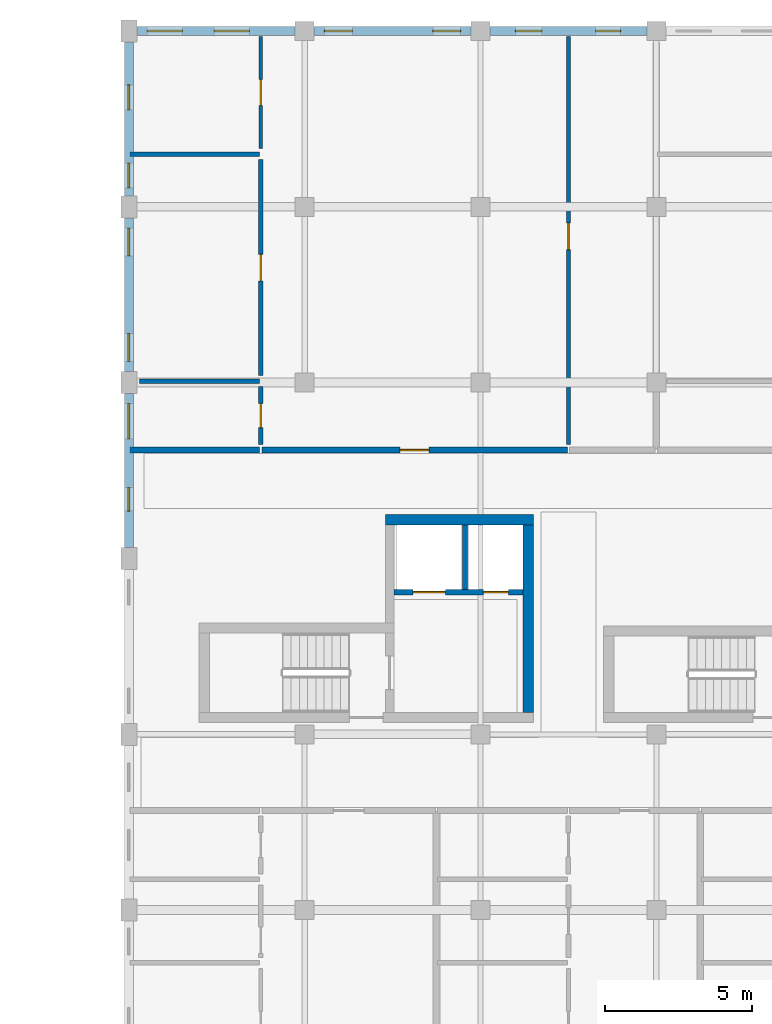
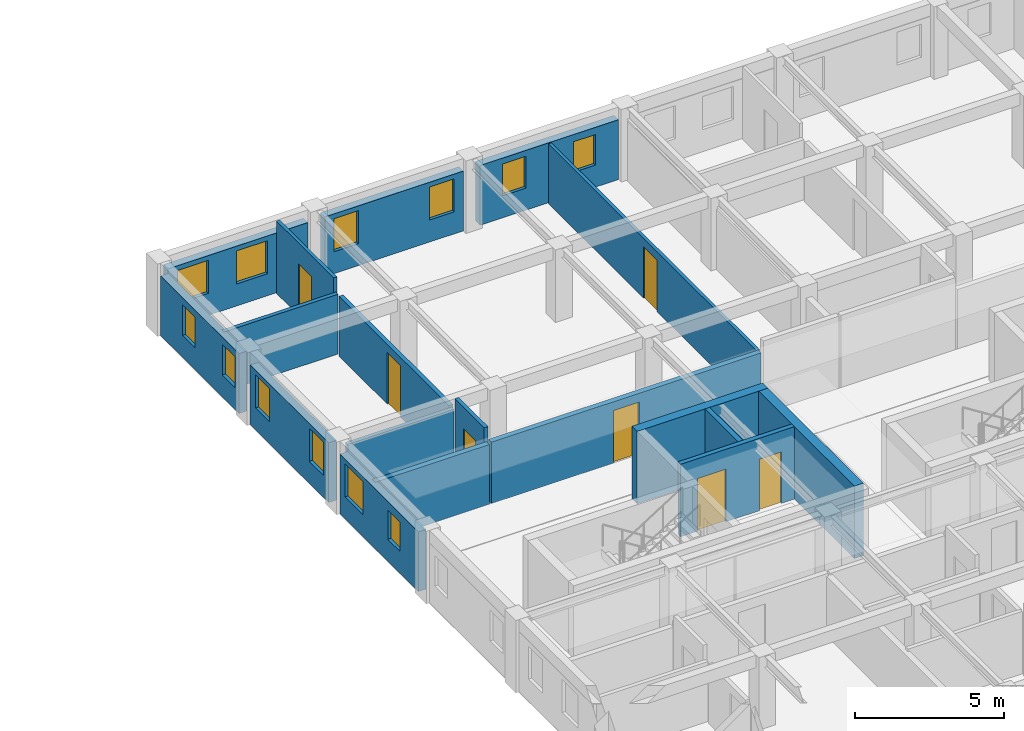
# One storey, part 69 of 100: 18 walls, 12 windows, 7 doors, 19 openings.
"""IFC4 building model written with IfcOpenShell, lengths in metres."""

from ifc_helpers import new_model, si_unit, direction, frame, frame_2d, origin, place, context, subcontext, project, spatial, rectangle, extrude, material, layer, layer_set, type_object, element, fill, save


model = new_model("IFC4")

# Units and contexts
model_context = context("Model", 3, precision=1e-05, world=origin(), true_north=direction((0.0, 1.0)))
body_context = subcontext(model_context, "Body", "Model", "MODEL_VIEW")
ifc_project = project(units=[si_unit("LENGTHUNIT", "METRE"), si_unit("AREAUNIT", "SQUARE_METRE"), si_unit("VOLUMEUNIT", "CUBIC_METRE"), si_unit("PLANEANGLEUNIT", "RADIAN"), si_unit("MASSUNIT", "GRAM", prefix="KILO"), si_unit("POWERUNIT", "WATT"), si_unit("THERMODYNAMICTEMPERATUREUNIT", "KELVIN")], contexts=[model_context])

# Site, building, storey
site_placement = place(None, origin())
site = spatial("IfcSite", under=ifc_project, at=site_placement, CompositionType="ELEMENT")
building_placement = place(site_placement, origin())
building = spatial("IfcBuilding", under=site, at=building_placement, Name="Ruvembo Vaulted Housing Court", CompositionType="ELEMENT")
storey_placement = place(building_placement, frame((0.0, 0.0, 10.89990234375)))
storey = spatial("IfcBuildingStorey", under=building, at=storey_placement, Name="L03", CompositionType="ELEMENT", Elevation=10.89990234375)

# Walls
ifc_material_1 = material(Name="Concrete C35/45", Category="concrete")
ifc_layer_1 = layer(ifc_material_1, 0.35009765625, Name="Concrete C35/45")
ifc_layer_set_1 = layer_set([ifc_layer_1], Name="Concrete C35/45")
wall_type_1 = type_object("IfcWallType", Name="WL-CORE-350", PredefinedType="SHEAR", material=ifc_layer_set_1)
wall_1_placement = place(storey_placement, frame((61.800048828125, 97.324951171875, 0.0), z_axis=(0.0, 0.0, 1.0), x_axis=(-1.0, 0.0, 0.0)))
element("IfcWall", 1, at=wall_1_placement, inside=storey, type_object=wall_type_1, Name="Core B1 L03 North Shear Wall", PredefinedType="SHEAR", context=body_context, shape_type="SweptSolid", body=[
    extrude(rectangle(XDim=5.050048828125, YDim=0.35009765625, at=frame_2d((2.52490234375, 0.0))), origin(), (0.0, 0.0, 1.0), 2.960205078125),
])
wall_2_placement = place(storey_placement, frame((61.625, 90.75, 0.0), z_axis=(0.0, 0.0, 1.0), x_axis=(0.0, 1.0, 0.0)))
element("IfcWall", 2, at=wall_2_placement, inside=storey, type_object=wall_type_1, Name="Core B1 L03 East Shear Wall", PredefinedType="SHEAR", context=body_context, shape_type="SweptSolid", body=[
    extrude(rectangle(XDim=6.39990234375, YDim=0.35009765625, at=frame_2d((3.199951171875, 0.0))), origin(), (0.0, 0.0, 1.0), 2.960205078125),
])
ifc_material_2 = material(Name="Concrete Blockwork 200", Category="masonry")
ifc_layer_2 = layer(ifc_material_2, 0.199951171875, Name="Concrete Blockwork 200")
ifc_layer_set_2 = layer_set([ifc_layer_2], Name="Concrete Blockwork 200")
wall_type_2 = type_object("IfcWallType", Name="WL-CORR-200", PredefinedType="SOLIDWALL", material=ifc_layer_set_2)
wall_3_placement = place(storey_placement, frame((48.0400390625, 99.699951171875, 0.0), z_axis=(0.0, 0.0, 1.0), x_axis=(1.0, 0.0, 0.0)))
element("IfcWall", 3, at=wall_3_placement, inside=storey, type_object=wall_type_2, Name="L03 Flat B-L03-N1 Corridor Wall WL-INT-L03-00857", PredefinedType="SOLIDWALL", context=body_context, shape_type="SweptSolid", body=[
    extrude(rectangle(XDim=4.419921875, YDim=0.199951171875, at=frame_2d((2.2099609375, 0.0))), origin(), (0.0, 0.0, 1.0), 2.442138671875),
])

# Wall, opening, door
wall_4_placement = place(storey_placement, frame((52.5400390625, 99.699951171875, 0.0), z_axis=(0.0, 0.0, 1.0), x_axis=(1.0, 0.0, 0.0)))
wall_4 = element("IfcWall", 4, at=wall_4_placement, inside=storey, type_object=wall_type_2, Name="L03 Flat B-L03-N1 Entrance WL-INT-L03-00858", PredefinedType="SOLIDWALL", context=body_context, shape_type="SweptSolid", body=[
    extrude(rectangle(XDim=10.419921875, YDim=0.199951171875, at=frame_2d((5.2099609375, 0.0))), origin(), (0.0, 0.0, 1.0), 2.508056640625),
])
opening_1_placement = place(wall_4_placement, frame((4.7099609375, 0.0, 0.0)))
opening_1 = element("IfcOpeningElement", 5, at=opening_1_placement, cuts=wall_4, Name="Opening FD1", PredefinedType="OPENING", context=body_context, shape_type="SweptSolid", body=[
    extrude(rectangle(XDim=1.0, YDim=2.14990234375, at=frame_2d((0.5, 1.074951171875))), frame((0.0, 0.10986328125, 0.0), z_axis=(0.0, -1.0, 0.0), x_axis=(1.0, 0.0, 0.0)), (0.0, 0.0, 1.0), 0.219970703125),
])
ifc_material_3 = material(Name="FSC Hardwood and Engineered Timber", Category="wood")
door_type_1 = type_object("IfcDoorType", Name="DR-FLAT-1000x2150", OperationType="NOTDEFINED", PredefinedType="DOOR", material=ifc_material_3)
door_1_placement = place(opening_1_placement, origin())
door_1 = element("IfcDoor", 6, at=door_1_placement, inside=storey, type_object=door_type_1, Name="L03 Flat B-L03-N1 Entrance Door DR-INT-L03-00474", OperationType="SINGLE_SWING_RIGHT", OverallHeight=2.14990234375, OverallWidth=1.0, PredefinedType="DOOR", context=body_context, shape_type="SweptSolid", body=[
    extrude(rectangle(XDim=1.0, YDim=2.14990234375, at=frame_2d((0.5, 1.074951171875))), frame((0.0, 0.02490234375, 0.0), z_axis=(0.0, -1.0, 0.0), x_axis=(1.0, 0.0, 0.0)), (0.0, 0.0, 1.0), 0.050048828125),
])
fill(opening_1, door_1)

# Wall, openings, windows
ifc_material_4 = material(Name="Rendered Masonry 300", Category="masonry")
ifc_layer_3 = layer(ifc_material_4, 0.300048828125, Name="Rendered Masonry 300")
ifc_layer_set_3 = layer_set([ifc_layer_3], Name="Rendered Masonry 300")
wall_type_3 = type_object("IfcWallType", Name="WL-EXT-300", PredefinedType="STANDARD", material=ifc_layer_set_3)
wall_5_placement = place(storey_placement, frame((65.675048828125, 114.0, 0.0), z_axis=(0.0, 0.0, 1.0), x_axis=(-1.0, 0.0, 0.0)))
wall_5 = element("IfcWall", 7, at=wall_5_placement, inside=storey, type_object=wall_type_3, Name="Block B L03 Exterior Wall STREET #4", PredefinedType="STANDARD", context=body_context, shape_type="SweptSolid", body=[
    extrude(rectangle(XDim=5.35009765625, YDim=0.300048828125, at=frame_2d((2.675048828125, 0.0))), origin(), (0.0, 0.0, 1.0), 2.442138671875),
])
opening_2_placement = place(wall_5_placement, frame((0.892578125, 0.0, 0.89990234375)))
opening_2 = element("IfcOpeningElement", 8, at=opening_2_placement, cuts=wall_5, Name="Opening W03", PredefinedType="OPENING", context=body_context, shape_type="SweptSolid", body=[
    extrude(rectangle(XDim=0.85009765625, YDim=1.25, at=frame_2d((0.425048828125, 0.625))), frame((0.0, 0.159912109375, 0.0), z_axis=(0.0, -1.0, 0.0), x_axis=(1.0, 0.0, 0.0)), (0.0, 0.0, 1.0), 0.320068359375),
])
opening_3_placement = place(wall_5_placement, frame((3.58251953125, 0.0, 0.89990234375)))
opening_3 = element("IfcOpeningElement", 9, at=opening_3_placement, cuts=wall_5, Name="Opening W04", PredefinedType="OPENING", context=body_context, shape_type="SweptSolid", body=[
    extrude(rectangle(XDim=0.89990234375, YDim=1.300048828125, at=frame_2d((0.449951171875, 0.64990234375))), frame((0.0, 0.159912109375, 0.0), z_axis=(0.0, -1.0, 0.0), x_axis=(1.0, 0.0, 0.0)), (0.0, 0.0, 1.0), 0.320068359375),
])
ifc_material_5 = material(Name="Double Solar-Control Glazing in Aluminium Frame", Category="aluminium")
window_type_1 = type_object("IfcWindowType", Name="WIN-0850x1250", PartitioningType="SINGLE_PANEL", PredefinedType="WINDOW", material=ifc_material_5)
window_1_placement = place(opening_2_placement, origin())
window_1 = element("IfcWindow", 10, at=window_1_placement, inside=storey, type_object=window_type_1, Name="Block B L03 Window #751", OverallHeight=1.25, OverallWidth=0.85009765625, PartitioningType="SINGLE_PANEL", PredefinedType="WINDOW", context=body_context, shape_type="SweptSolid", body=[
    extrude(rectangle(XDim=0.85009765625, YDim=1.25, at=frame_2d((0.425048828125, 0.625))), frame((0.0, 0.030029296875, 0.0), z_axis=(0.0, -1.0, 0.0), x_axis=(1.0, 0.0, 0.0)), (0.0, 0.0, 1.0), 0.06005859375),
])
fill(opening_2, window_1)
window_type_2 = type_object("IfcWindowType", Name="WIN-0900x1300", PartitioningType="SINGLE_PANEL", PredefinedType="WINDOW", material=ifc_material_5)
window_2_placement = place(opening_3_placement, origin())
window_2 = element("IfcWindow", 11, at=window_2_placement, inside=storey, type_object=window_type_2, Name="Block B L03 Window #752", OverallHeight=1.300048828125, OverallWidth=0.89990234375, PartitioningType="SINGLE_PANEL", PredefinedType="WINDOW", context=body_context, shape_type="SweptSolid", body=[
    extrude(rectangle(XDim=0.89990234375, YDim=1.300048828125, at=frame_2d((0.449951171875, 0.64990234375))), frame((0.0, 0.030029296875, 0.0), z_axis=(0.0, -1.0, 0.0), x_axis=(1.0, 0.0, 0.0)), (0.0, 0.0, 1.0), 0.06005859375),
])
fill(opening_3, window_2)

wall_6_placement = place(storey_placement, frame((59.675048828125, 114.0, 0.0), z_axis=(0.0, 0.0, 1.0), x_axis=(-1.0, 0.0, 0.0)))
wall_6 = element("IfcWall", 12, at=wall_6_placement, inside=storey, type_object=wall_type_3, Name="Block B L03 Exterior Wall STREET #5", PredefinedType="STANDARD", context=body_context, shape_type="SweptSolid", body=[
    extrude(rectangle(XDim=5.35009765625, YDim=0.300048828125, at=frame_2d((2.675048828125, 0.0))), origin(), (0.0, 0.0, 1.0), 2.442138671875),
])
opening_4_placement = place(wall_6_placement, frame((0.35009765625, 0.0, 0.89990234375)))
opening_4 = element("IfcOpeningElement", 13, at=opening_4_placement, cuts=wall_6, Name="Opening W07", PredefinedType="OPENING", context=body_context, shape_type="SweptSolid", body=[
    extrude(rectangle(XDim=0.949951171875, YDim=1.35009765625, at=frame_2d((0.47509765625, 0.675048828125))), frame((0.0, 0.159912109375, 0.0), z_axis=(0.0, -1.0, 0.0), x_axis=(1.0, 0.0, 0.0)), (0.0, 0.0, 1.0), 0.320068359375),
])
opening_5_placement = place(wall_6_placement, frame((4.050048828125, 0.0, 0.89990234375)))
opening_5 = element("IfcOpeningElement", 14, at=opening_5_placement, cuts=wall_6, Name="Opening W07", PredefinedType="OPENING", context=body_context, shape_type="SweptSolid", body=[
    extrude(rectangle(XDim=0.949951171875, YDim=1.35009765625, at=frame_2d((0.47509765625, 0.675048828125))), frame((0.0, 0.159912109375, 0.0), z_axis=(0.0, -1.0, 0.0), x_axis=(1.0, 0.0, 0.0)), (0.0, 0.0, 1.0), 0.320068359375),
])
window_type_3 = type_object("IfcWindowType", Name="WIN-0950x1350", PartitioningType="SINGLE_PANEL", PredefinedType="WINDOW", material=ifc_material_5)
window_3_placement = place(opening_4_placement, origin())
window_3 = element("IfcWindow", 15, at=window_3_placement, inside=storey, type_object=window_type_3, Name="Block B L03 Window #753", OverallHeight=1.35009765625, OverallWidth=0.949951171875, PartitioningType="SINGLE_PANEL", PredefinedType="WINDOW", context=body_context, shape_type="SweptSolid", body=[
    extrude(rectangle(XDim=0.949951171875, YDim=1.35009765625, at=frame_2d((0.47509765625, 0.675048828125))), frame((0.0, 0.030029296875, 0.0), z_axis=(0.0, -1.0, 0.0), x_axis=(1.0, 0.0, 0.0)), (0.0, 0.0, 1.0), 0.06005859375),
])
fill(opening_4, window_3)
window_4_placement = place(opening_5_placement, origin())
window_4 = element("IfcWindow", 16, at=window_4_placement, inside=storey, type_object=window_type_3, Name="Block B L03 Window #754", OverallHeight=1.35009765625, OverallWidth=0.949951171875, PartitioningType="SINGLE_PANEL", PredefinedType="WINDOW", context=body_context, shape_type="SweptSolid", body=[
    extrude(rectangle(XDim=0.949951171875, YDim=1.35009765625, at=frame_2d((0.47509765625, 0.675048828125))), frame((0.0, 0.030029296875, 0.0), z_axis=(0.0, -1.0, 0.0), x_axis=(1.0, 0.0, 0.0)), (0.0, 0.0, 1.0), 0.06005859375),
])
fill(opening_5, window_4)

wall_7_placement = place(storey_placement, frame((53.675048828125, 114.0, 0.0), z_axis=(0.0, 0.0, 1.0), x_axis=(-1.0, 0.0, 0.0)))
wall_7 = element("IfcWall", 17, at=wall_7_placement, inside=storey, type_object=wall_type_3, Name="Block B L03 Exterior Wall STREET #6", PredefinedType="STANDARD", context=body_context, shape_type="SweptSolid", body=[
    extrude(rectangle(XDim=5.400146484375, YDim=0.300048828125, at=frame_2d((2.7001953125, 0.0))), origin(), (0.0, 0.0, 1.0), 2.442138671875),
])
opening_6_placement = place(wall_7_placement, frame((1.56494140625, 0.0, 0.89990234375)))
opening_6 = element("IfcOpeningElement", 18, at=opening_6_placement, cuts=wall_7, Name="Opening W12", PredefinedType="OPENING", context=body_context, shape_type="SweptSolid", body=[
    extrude(rectangle(XDim=1.199951171875, YDim=1.35009765625, at=frame_2d((0.60009765625, 0.675048828125))), frame((0.0, 0.159912109375, 0.0), z_axis=(0.0, -1.0, 0.0), x_axis=(1.0, 0.0, 0.0)), (0.0, 0.0, 1.0), 0.320068359375),
])
opening_7_placement = place(wall_7_placement, frame((3.85009765625, 0.0, 0.89990234375)))
opening_7 = element("IfcOpeningElement", 19, at=opening_7_placement, cuts=wall_7, Name="Opening W12", PredefinedType="OPENING", context=body_context, shape_type="SweptSolid", body=[
    extrude(rectangle(XDim=1.199951171875, YDim=1.35009765625, at=frame_2d((0.60009765625, 0.675048828125))), frame((0.0, 0.159912109375, 0.0), z_axis=(0.0, -1.0, 0.0), x_axis=(1.0, 0.0, 0.0)), (0.0, 0.0, 1.0), 0.320068359375),
])
window_type_4 = type_object("IfcWindowType", Name="WIN-1200x1350", PartitioningType="SINGLE_PANEL", PredefinedType="WINDOW", material=ifc_material_5)
window_5_placement = place(opening_6_placement, origin())
window_5 = element("IfcWindow", 20, at=window_5_placement, inside=storey, type_object=window_type_4, Name="Block B L03 Window #755", OverallHeight=1.35009765625, OverallWidth=1.199951171875, PartitioningType="SINGLE_PANEL", PredefinedType="WINDOW", context=body_context, shape_type="SweptSolid", body=[
    extrude(rectangle(XDim=1.199951171875, YDim=1.35009765625, at=frame_2d((0.60009765625, 0.675048828125))), frame((0.0, 0.030029296875, 0.0), z_axis=(0.0, -1.0, 0.0), x_axis=(1.0, 0.0, 0.0)), (0.0, 0.0, 1.0), 0.06005859375),
])
fill(opening_6, window_5)
window_6_placement = place(opening_7_placement, origin())
window_6 = element("IfcWindow", 21, at=window_6_placement, inside=storey, type_object=window_type_4, Name="Block B L03 Window #756", OverallHeight=1.35009765625, OverallWidth=1.199951171875, PartitioningType="SINGLE_PANEL", PredefinedType="WINDOW", context=body_context, shape_type="SweptSolid", body=[
    extrude(rectangle(XDim=1.199951171875, YDim=1.35009765625, at=frame_2d((0.60009765625, 0.675048828125))), frame((0.0, 0.030029296875, 0.0), z_axis=(0.0, -1.0, 0.0), x_axis=(1.0, 0.0, 0.0)), (0.0, 0.0, 1.0), 0.06005859375),
])
fill(opening_7, window_6)

wall_8_placement = place(storey_placement, frame((48.0, 113.625, 0.0), z_axis=(0.0, 0.0, 1.0), x_axis=(0.0, -1.0, 0.0)))
wall_8 = element("IfcWall", 22, at=wall_8_placement, inside=storey, type_object=wall_type_3, Name="Block B L03 Exterior Wall WEST #1", PredefinedType="STANDARD", context=body_context, shape_type="SweptSolid", body=[
    extrude(rectangle(XDim=5.25, YDim=0.300048828125, at=frame_2d((2.625, 0.0))), origin(), (0.0, 0.0, 1.0), 2.442138671875),
])
opening_8_placement = place(wall_8_placement, frame((1.467529296875, 0.0, 0.89990234375)))
opening_8 = element("IfcOpeningElement", 23, at=opening_8_placement, cuts=wall_8, Name="Opening W03", PredefinedType="OPENING", context=body_context, shape_type="SweptSolid", body=[
    extrude(rectangle(XDim=0.85009765625, YDim=1.25, at=frame_2d((0.425048828125, 0.625))), frame((0.0, 0.159912109375, 0.0), z_axis=(0.0, -1.0, 0.0), x_axis=(1.0, 0.0, 0.0)), (0.0, 0.0, 1.0), 0.320068359375),
])
opening_9_placement = place(wall_8_placement, frame((4.132568359375, 0.0, 0.89990234375)))
opening_9 = element("IfcOpeningElement", 24, at=opening_9_placement, cuts=wall_8, Name="Opening W03", PredefinedType="OPENING", context=body_context, shape_type="SweptSolid", body=[
    extrude(rectangle(XDim=0.85009765625, YDim=1.25, at=frame_2d((0.425048828125, 0.625))), frame((0.0, 0.159912109375, 0.0), z_axis=(0.0, -1.0, 0.0), x_axis=(1.0, 0.0, 0.0)), (0.0, 0.0, 1.0), 0.320068359375),
])
window_7_placement = place(opening_8_placement, origin())
window_7 = element("IfcWindow", 25, at=window_7_placement, inside=storey, type_object=window_type_1, Name="Block B L03 Window #757", OverallHeight=1.25, OverallWidth=0.85009765625, PartitioningType="SINGLE_PANEL", PredefinedType="WINDOW", context=body_context, shape_type="SweptSolid", body=[
    extrude(rectangle(XDim=0.85009765625, YDim=1.25, at=frame_2d((0.425048828125, 0.625))), frame((0.0, 0.030029296875, 0.0), z_axis=(0.0, -1.0, 0.0), x_axis=(1.0, 0.0, 0.0)), (0.0, 0.0, 1.0), 0.06005859375),
])
fill(opening_8, window_7)
window_8_placement = place(opening_9_placement, origin())
window_8 = element("IfcWindow", 26, at=window_8_placement, inside=storey, type_object=window_type_1, Name="Block B L03 Window #758", OverallHeight=1.25, OverallWidth=0.85009765625, PartitioningType="SINGLE_PANEL", PredefinedType="WINDOW", context=body_context, shape_type="SweptSolid", body=[
    extrude(rectangle(XDim=0.85009765625, YDim=1.25, at=frame_2d((0.425048828125, 0.625))), frame((0.0, 0.030029296875, 0.0), z_axis=(0.0, -1.0, 0.0), x_axis=(1.0, 0.0, 0.0)), (0.0, 0.0, 1.0), 0.06005859375),
])
fill(opening_9, window_8)

wall_9_placement = place(storey_placement, frame((48.0, 107.625, 0.0), z_axis=(0.0, 0.0, 1.0), x_axis=(0.0, -1.0, 0.0)))
wall_9 = element("IfcWall", 27, at=wall_9_placement, inside=storey, type_object=wall_type_3, Name="Block B L03 Exterior Wall WEST #2", PredefinedType="STANDARD", context=body_context, shape_type="SweptSolid", body=[
    extrude(rectangle(XDim=5.25, YDim=0.300048828125, at=frame_2d((2.625, 0.0))), origin(), (0.0, 0.0, 1.0), 2.442138671875),
])
opening_10_placement = place(wall_9_placement, frame((0.35009765625, 0.0, 0.89990234375)))
opening_10 = element("IfcOpeningElement", 28, at=opening_10_placement, cuts=wall_9, Name="Opening W07", PredefinedType="OPENING", context=body_context, shape_type="SweptSolid", body=[
    extrude(rectangle(XDim=0.949951171875, YDim=1.35009765625, at=frame_2d((0.47509765625, 0.675048828125))), frame((0.0, 0.159912109375, 0.0), z_axis=(0.0, -1.0, 0.0), x_axis=(1.0, 0.0, 0.0)), (0.0, 0.0, 1.0), 0.320068359375),
])
opening_11_placement = place(wall_9_placement, frame((3.949951171875, 0.0, 0.89990234375)))
opening_11 = element("IfcOpeningElement", 29, at=opening_11_placement, cuts=wall_9, Name="Opening W07", PredefinedType="OPENING", context=body_context, shape_type="SweptSolid", body=[
    extrude(rectangle(XDim=0.949951171875, YDim=1.35009765625, at=frame_2d((0.47509765625, 0.675048828125))), frame((0.0, 0.159912109375, 0.0), z_axis=(0.0, -1.0, 0.0), x_axis=(1.0, 0.0, 0.0)), (0.0, 0.0, 1.0), 0.320068359375),
])
window_9_placement = place(opening_10_placement, origin())
window_9 = element("IfcWindow", 30, at=window_9_placement, inside=storey, type_object=window_type_3, Name="Block B L03 Window #759", OverallHeight=1.35009765625, OverallWidth=0.949951171875, PartitioningType="SINGLE_PANEL", PredefinedType="WINDOW", context=body_context, shape_type="SweptSolid", body=[
    extrude(rectangle(XDim=0.949951171875, YDim=1.35009765625, at=frame_2d((0.47509765625, 0.675048828125))), frame((0.0, 0.030029296875, 0.0), z_axis=(0.0, -1.0, 0.0), x_axis=(1.0, 0.0, 0.0)), (0.0, 0.0, 1.0), 0.06005859375),
])
fill(opening_10, window_9)
window_10_placement = place(opening_11_placement, origin())
window_10 = element("IfcWindow", 31, at=window_10_placement, inside=storey, type_object=window_type_3, Name="Block B L03 Window #760", OverallHeight=1.35009765625, OverallWidth=0.949951171875, PartitioningType="SINGLE_PANEL", PredefinedType="WINDOW", context=body_context, shape_type="SweptSolid", body=[
    extrude(rectangle(XDim=0.949951171875, YDim=1.35009765625, at=frame_2d((0.47509765625, 0.675048828125))), frame((0.0, 0.030029296875, 0.0), z_axis=(0.0, -1.0, 0.0), x_axis=(1.0, 0.0, 0.0)), (0.0, 0.0, 1.0), 0.06005859375),
])
fill(opening_11, window_10)

wall_10_placement = place(storey_placement, frame((48.0, 101.625, 0.0), z_axis=(0.0, 0.0, 1.0), x_axis=(0.0, -1.0, 0.0)))
wall_10 = element("IfcWall", 32, at=wall_10_placement, inside=storey, type_object=wall_type_3, Name="Block B L03 Exterior Wall WEST #3", PredefinedType="STANDARD", context=body_context, shape_type="SweptSolid", body=[
    extrude(rectangle(XDim=5.25, YDim=0.300048828125, at=frame_2d((2.625, 0.0))), origin(), (0.0, 0.0, 1.0), 2.442138671875),
])
opening_12_placement = place(wall_10_placement, frame((0.342529296875, 0.0, 0.89990234375)))
opening_12 = element("IfcOpeningElement", 33, at=opening_12_placement, cuts=wall_10, Name="Opening W12", PredefinedType="OPENING", context=body_context, shape_type="SweptSolid", body=[
    extrude(rectangle(XDim=1.199951171875, YDim=1.35009765625, at=frame_2d((0.60009765625, 0.675048828125))), frame((0.0, 0.159912109375, 0.0), z_axis=(0.0, -1.0, 0.0), x_axis=(1.0, 0.0, 0.0)), (0.0, 0.0, 1.0), 0.320068359375),
])
opening_13_placement = place(wall_10_placement, frame((3.20751953125, 0.0, 0.89990234375)))
opening_13 = element("IfcOpeningElement", 34, at=opening_13_placement, cuts=wall_10, Name="Opening W02", PredefinedType="OPENING", context=body_context, shape_type="SweptSolid", body=[
    extrude(rectangle(XDim=0.800048828125, YDim=1.199951171875, at=frame_2d((0.39990234375, 0.60009765625))), frame((0.0, 0.159912109375, 0.0), z_axis=(0.0, -1.0, 0.0), x_axis=(1.0, 0.0, 0.0)), (0.0, 0.0, 1.0), 0.320068359375),
])
window_type_5 = type_object("IfcWindowType", Name="WIN-0800x1200", PartitioningType="SINGLE_PANEL", PredefinedType="WINDOW", material=ifc_material_5)
window_11_placement = place(opening_13_placement, origin())
window_11 = element("IfcWindow", 35, at=window_11_placement, inside=storey, type_object=window_type_5, Name="Block B L03 Window #762", OverallHeight=1.199951171875, OverallWidth=0.800048828125, PartitioningType="SINGLE_PANEL", PredefinedType="WINDOW", context=body_context, shape_type="SweptSolid", body=[
    extrude(rectangle(XDim=0.800048828125, YDim=1.199951171875, at=frame_2d((0.39990234375, 0.60009765625))), frame((0.0, 0.030029296875, 0.0), z_axis=(0.0, -1.0, 0.0), x_axis=(1.0, 0.0, 0.0)), (0.0, 0.0, 1.0), 0.06005859375),
])
fill(opening_13, window_11)
window_12_placement = place(opening_12_placement, origin())
window_12 = element("IfcWindow", 36, at=window_12_placement, inside=storey, type_object=window_type_4, Name="Block B L03 Window #761", OverallHeight=1.35009765625, OverallWidth=1.199951171875, PartitioningType="SINGLE_PANEL", PredefinedType="WINDOW", context=body_context, shape_type="SweptSolid", body=[
    extrude(rectangle(XDim=1.199951171875, YDim=1.35009765625, at=frame_2d((0.60009765625, 0.675048828125))), frame((0.0, 0.030029296875, 0.0), z_axis=(0.0, -1.0, 0.0), x_axis=(1.0, 0.0, 0.0)), (0.0, 0.0, 1.0), 0.06005859375),
])
fill(opening_12, window_12)

# Wall, opening, door
ifc_material_6 = material(Name="Plasterboard Stud Partition 125", Category="gypsum")
ifc_layer_4 = layer(ifc_material_6, 0.125, Name="Plasterboard Stud Partition 125")
ifc_layer_set_4 = layer_set([ifc_layer_4], Name="Plasterboard Stud Partition 125")
wall_type_4 = type_object("IfcWallType", Name="WL-PART-125", PredefinedType="PARTITIONING", material=ifc_layer_set_4)
wall_11_placement = place(storey_placement, frame((52.5, 109.989990234375, 0.0), z_axis=(0.0, 0.0, 1.0), x_axis=(0.0, 1.0, 0.0)))
wall_11 = element("IfcWall", 37, at=wall_11_placement, inside=storey, type_object=wall_type_4, Name="L03 Flat B-L03-N1 Bedroom 1 WL-INT-L03-00859", PredefinedType="PARTITIONING", context=body_context, shape_type="SweptSolid", body=[
    extrude(rectangle(XDim=3.820068359375, YDim=0.125, at=frame_2d((1.91015625, 0.0))), origin(), (0.0, 0.0, 1.0), 2.960205078125),
])
opening_14_placement = place(wall_11_placement, frame((1.469970703125, 0.0, 0.0)))
opening_14 = element("IfcOpeningElement", 38, at=opening_14_placement, cuts=wall_11, Name="Opening ID3", PredefinedType="OPENING", context=body_context, shape_type="SweptSolid", body=[
    extrude(rectangle(XDim=0.8798828125, YDim=2.10009765625, at=frame_2d((0.43994140625, 1.050048828125))), frame((0.0, 0.072509765625, 0.0), z_axis=(0.0, -1.0, 0.0), x_axis=(1.0, 0.0, 0.0)), (0.0, 0.0, 1.0), 0.14501953125),
])
door_type_2 = type_object("IfcDoorType", Name="DR-ROOM-0880x2100", OperationType="NOTDEFINED", PredefinedType="DOOR", material=ifc_material_3)
door_2_placement = place(opening_14_placement, origin())
door_2 = element("IfcDoor", 39, at=door_2_placement, inside=storey, type_object=door_type_2, Name="L03 Flat B-L03-N1 Bedroom 1 Door DR-INT-L03-00475", OperationType="SINGLE_SWING_LEFT", OverallHeight=2.10009765625, OverallWidth=0.8798828125, PredefinedType="DOOR", context=body_context, shape_type="SweptSolid", body=[
    extrude(rectangle(XDim=0.8798828125, YDim=2.10009765625, at=frame_2d((0.43994140625, 1.050048828125))), frame((0.0, 0.02490234375, 0.0), z_axis=(0.0, -1.0, 0.0), x_axis=(1.0, 0.0, 0.0)), (0.0, 0.0, 1.0), 0.050048828125),
])
fill(opening_14, door_2)

wall_12_placement = place(storey_placement, frame((63.0, 99.889892578125, 0.0), z_axis=(0.0, 0.0, 1.0), x_axis=(0.0, 1.0, 0.0)))
wall_12 = element("IfcWall", 40, at=wall_12_placement, inside=storey, type_object=wall_type_4, Name="L03 Flat B-L03-N1 Bedroom 2 WL-INT-L03-00865", PredefinedType="PARTITIONING", context=body_context, shape_type="SweptSolid", body=[
    extrude(rectangle(XDim=13.920166015625, YDim=0.125, at=frame_2d((6.9599609375, 0.0))), origin(), (0.0, 0.0, 1.0), 2.442138671875),
])
opening_15_placement = place(wall_12_placement, frame((6.64990234375, 0.0, 0.0)))
opening_15 = element("IfcOpeningElement", 41, at=opening_15_placement, cuts=wall_12, Name="Opening ID1", PredefinedType="OPENING", context=body_context, shape_type="SweptSolid", body=[
    extrude(rectangle(XDim=0.89990234375, YDim=2.10009765625, at=frame_2d((0.449951171875, 1.050048828125))), frame((0.0, 0.072509765625, 0.0), z_axis=(0.0, -1.0, 0.0), x_axis=(1.0, 0.0, 0.0)), (0.0, 0.0, 1.0), 0.14501953125),
])
door_type_3 = type_object("IfcDoorType", Name="DR-ROOM-0900x2100", OperationType="NOTDEFINED", PredefinedType="DOOR", material=ifc_material_3)
door_3_placement = place(opening_15_placement, origin())
door_3 = element("IfcDoor", 42, at=door_3_placement, inside=storey, type_object=door_type_3, Name="L03 Flat B-L03-N1 Bedroom 2 Door DR-INT-L03-00478", OperationType="SINGLE_SWING_RIGHT", OverallHeight=2.10009765625, OverallWidth=0.89990234375, PredefinedType="DOOR", context=body_context, shape_type="SweptSolid", body=[
    extrude(rectangle(XDim=0.89990234375, YDim=2.10009765625, at=frame_2d((0.449951171875, 1.050048828125))), frame((0.0, 0.02490234375, 0.0), z_axis=(0.0, -1.0, 0.0), x_axis=(1.0, 0.0, 0.0)), (0.0, 0.0, 1.0), 0.050048828125),
])
fill(opening_15, door_3)

ifc_material_7 = material(Name="Moisture-Resistant Wet Partition 150", Category="gypsum")
ifc_layer_5 = layer(ifc_material_7, 0.14990234375, Name="Moisture-Resistant Wet Partition 150")
ifc_layer_set_5 = layer_set([ifc_layer_5], Name="Moisture-Resistant Wet Partition 150")
wall_type_5 = type_object("IfcWallType", Name="WL-PART-150", PredefinedType="PARTITIONING", material=ifc_layer_set_5)
wall_13_placement = place(storey_placement, frame((52.5, 99.889892578125, 0.0), z_axis=(0.0, 0.0, 1.0), x_axis=(0.0, 1.0, 0.0)))
wall_13 = element("IfcWall", 43, at=wall_13_placement, inside=storey, type_object=wall_type_5, Name="L03 Flat B-L03-N1 Bathroom WL-INT-L03-00861", PredefinedType="PARTITIONING", context=body_context, shape_type="SweptSolid", body=[
    extrude(rectangle(XDim=1.97021484375, YDim=0.14990234375, at=frame_2d((0.985107421875, 0.0))), origin(), (0.0, 0.0, 1.0), 2.960205078125),
])
opening_16_placement = place(wall_13_placement, frame((0.574951171875, 0.0, 0.0)))
opening_16 = element("IfcOpeningElement", 44, at=opening_16_placement, cuts=wall_13, Name="Opening ID4", PredefinedType="OPENING", context=body_context, shape_type="SweptSolid", body=[
    extrude(rectangle(XDim=0.820068359375, YDim=2.080078125, at=frame_2d((0.41015625, 1.0400390625))), frame((0.0, 0.0849609375, 0.0), z_axis=(0.0, -1.0, 0.0), x_axis=(1.0, 0.0, 0.0)), (0.0, 0.0, 1.0), 0.169921875),
])
door_type_4 = type_object("IfcDoorType", Name="DR-WET-0820x2080", OperationType="NOTDEFINED", PredefinedType="DOOR", material=ifc_material_3)
door_4_placement = place(opening_16_placement, origin())
door_4 = element("IfcDoor", 45, at=door_4_placement, inside=storey, type_object=door_type_4, Name="L03 Flat B-L03-N1 Bathroom Door DR-INT-L03-00477", OperationType="SINGLE_SWING_LEFT", OverallHeight=2.080078125, OverallWidth=0.820068359375, PredefinedType="DOOR", context=body_context, shape_type="SweptSolid", body=[
    extrude(rectangle(XDim=0.820068359375, YDim=2.080078125, at=frame_2d((0.41015625, 1.0400390625))), frame((0.0, 0.02490234375, 0.0), z_axis=(0.0, -1.0, 0.0), x_axis=(1.0, 0.0, 0.0)), (0.0, 0.0, 1.0), 0.050048828125),
])
fill(opening_16, door_4)

# Walls
wall_14_placement = place(storey_placement, frame((48.0400390625, 109.800048828125, 0.0), z_axis=(0.0, 0.0, 1.0), x_axis=(1.0, 0.0, 0.0)))
element("IfcWall", 46, at=wall_14_placement, inside=storey, type_object=wall_type_5, Name="L03 Flat B-L03-N1 Wet Wall 1 WL-INT-L03-00862", PredefinedType="PARTITIONING", context=body_context, shape_type="SweptSolid", body=[
    extrude(rectangle(XDim=4.419921875, YDim=0.14990234375, at=frame_2d((2.2099609375, 0.0))), origin(), (0.0, 0.0, 1.0), 2.442138671875),
])
wall_15_placement = place(storey_placement, frame((48.360107421875, 102.050048828125, 0.0), z_axis=(0.0, 0.0, 1.0), x_axis=(1.0, 0.0, 0.0)))
element("IfcWall", 47, at=wall_15_placement, inside=storey, type_object=wall_type_5, Name="L03 Flat B-L03-N1 Wet Wall 2 WL-INT-L03-00863", PredefinedType="PARTITIONING", context=body_context, shape_type="SweptSolid", body=[
    extrude(rectangle(XDim=4.099853515625, YDim=0.14990234375, at=frame_2d((2.0498046875, 0.0))), origin(), (0.0, 0.0, 1.0), 2.442138671875),
])

# Wall, opening, door
ifc_material_8 = material(Name="Acoustic Service Chase Wall 160", Category="gypsum")
ifc_layer_6 = layer(ifc_material_8, 0.159912109375, Name="Acoustic Service Chase Wall 160")
ifc_layer_set_6 = layer_set([ifc_layer_6], Name="Acoustic Service Chase Wall 160")
wall_type_6 = type_object("IfcWallType", Name="WL-PLUMB-160", PredefinedType="PLUMBINGWALL", material=ifc_layer_set_6)
wall_16_placement = place(storey_placement, frame((52.5, 102.239990234375, 0.0), z_axis=(0.0, 0.0, 1.0), x_axis=(0.0, 1.0, 0.0)))
wall_16 = element("IfcWall", 48, at=wall_16_placement, inside=storey, type_object=wall_type_6, Name="L03 Flat B-L03-N1 Kitchen WL-INT-L03-00860", PredefinedType="PLUMBINGWALL", context=body_context, shape_type="SweptSolid", body=[
    extrude(rectangle(XDim=7.3701171875, YDim=0.159912109375, at=frame_2d((3.68505859375, 0.0))), origin(), (0.0, 0.0, 1.0), 2.442138671875),
])
opening_17_placement = place(wall_16_placement, frame((3.235107421875, 0.0, 0.0)))
opening_17 = element("IfcOpeningElement", 49, at=opening_17_placement, cuts=wall_16, Name="Opening ID1", PredefinedType="OPENING", context=body_context, shape_type="SweptSolid", body=[
    extrude(rectangle(XDim=0.89990234375, YDim=2.10009765625, at=frame_2d((0.449951171875, 1.050048828125))), frame((0.0, 0.08984375, 0.0), z_axis=(0.0, -1.0, 0.0), x_axis=(1.0, 0.0, 0.0)), (0.0, 0.0, 1.0), 0.179931640625),
])
door_5_placement = place(opening_17_placement, origin())
door_5 = element("IfcDoor", 50, at=door_5_placement, inside=storey, type_object=door_type_3, Name="L03 Flat B-L03-N1 Kitchen Door DR-INT-L03-00476", OperationType="SINGLE_SWING_RIGHT", OverallHeight=2.10009765625, OverallWidth=0.89990234375, PredefinedType="DOOR", context=body_context, shape_type="SweptSolid", body=[
    extrude(rectangle(XDim=0.89990234375, YDim=2.10009765625, at=frame_2d((0.449951171875, 1.050048828125))), frame((0.0, 0.02490234375, 0.0), z_axis=(0.0, -1.0, 0.0), x_axis=(1.0, 0.0, 0.0)), (0.0, 0.0, 1.0), 0.050048828125),
])
fill(opening_17, door_5)

# Wall, openings, doors
ifc_material_9 = material(Name="Fire-Rated Masonry Shaft 180", Category="masonry")
ifc_layer_7 = layer(ifc_material_9, 0.179931640625, Name="Fire-Rated Masonry Shaft 180")
ifc_layer_set_7 = layer_set([ifc_layer_7], Name="Fire-Rated Masonry Shaft 180")
wall_type_7 = type_object("IfcWallType", Name="WL-SHAFT-180", PredefinedType="SOLIDWALL", material=ifc_layer_set_7)
wall_17_placement = place(storey_placement, frame((57.050048828125, 94.85009765625, 0.0), z_axis=(0.0, 0.0, 1.0), x_axis=(1.0, 0.0, 0.0)))
wall_17 = element("IfcWall", 51, at=wall_17_placement, inside=storey, type_object=wall_type_7, Name="Core B1 L03 Lift and Riser Front Wall", PredefinedType="SOLIDWALL", context=body_context, shape_type="SweptSolid", body=[
    extrude(rectangle(XDim=4.39990234375, YDim=0.179931640625, at=frame_2d((2.199951171875, 0.0))), origin(), (0.0, 0.0, 1.0), 2.960205078125),
])
opening_18_placement = place(wall_17_placement, frame((0.64990234375, 0.0, 0.0)))
opening_18 = element("IfcOpeningElement", 52, at=opening_18_placement, cuts=wall_17, Name="Opening LD-LP-B1-L03", PredefinedType="OPENING", context=body_context, shape_type="SweptSolid", body=[
    extrude(rectangle(XDim=1.10009765625, YDim=2.14990234375, at=frame_2d((0.550048828125, 1.074951171875))), frame((0.0, 0.099853515625, 0.0), z_axis=(0.0, -1.0, 0.0), x_axis=(1.0, 0.0, 0.0)), (0.0, 0.0, 1.0), 0.199951171875),
])
opening_19_placement = place(wall_17_placement, frame((3.050048828125, 0.0, 0.0)))
opening_19 = element("IfcOpeningElement", 53, at=opening_19_placement, cuts=wall_17, Name="Opening RD1", PredefinedType="OPENING", context=body_context, shape_type="SweptSolid", body=[
    extrude(rectangle(XDim=0.85009765625, YDim=2.10009765625, at=frame_2d((0.425048828125, 1.050048828125))), frame((0.0, 0.099853515625, 0.0), z_axis=(0.0, -1.0, 0.0), x_axis=(1.0, 0.0, 0.0)), (0.0, 0.0, 1.0), 0.199951171875),
])
ifc_material_10 = material(Name="Brushed Stainless Steel 304", Category="steel")
door_type_5 = type_object("IfcDoorType", Name="DR-LIFT-1100x2150", OperationType="NOTDEFINED", PredefinedType="DOOR", material=ifc_material_10)
door_6_placement = place(opening_18_placement, origin())
door_6 = element("IfcDoor", 54, at=door_6_placement, inside=storey, type_object=door_type_5, Name="Lift LP-B1 L03 Sliding Landing Door", OperationType="SLIDING_TO_LEFT", OverallHeight=2.14990234375, OverallWidth=1.10009765625, PredefinedType="DOOR", context=body_context, shape_type="SweptSolid", body=[
    extrude(rectangle(XDim=1.10009765625, YDim=2.14990234375, at=frame_2d((0.550048828125, 1.074951171875))), frame((0.0, 0.02490234375, 0.0), z_axis=(0.0, -1.0, 0.0), x_axis=(1.0, 0.0, 0.0)), (0.0, 0.0, 1.0), 0.050048828125),
])
fill(opening_18, door_6)
ifc_material_11 = material(Name="Galvanised Painted Steel", Category="steel")
door_type_6 = type_object("IfcDoorType", Name="DR-RISER-0850x2100", OperationType="NOTDEFINED", PredefinedType="DOOR", material=ifc_material_11)
door_7_placement = place(opening_19_placement, frame((0.85009765625, 0.0, 0.0), z_axis=(0.0, 0.0, 1.0), x_axis=(-1.0, 0.0, 0.0)))
door_7 = element("IfcDoor", 55, at=door_7_placement, inside=storey, type_object=door_type_6, Name="Core B1 L03 Service Riser Door", OperationType="SINGLE_SWING_LEFT", OverallHeight=2.10009765625, OverallWidth=0.85009765625, PredefinedType="DOOR", context=body_context, shape_type="SweptSolid", body=[
    extrude(rectangle(XDim=0.85009765625, YDim=2.10009765625, at=frame_2d((0.425048828125, 1.050048828125))), frame((0.0, 0.02490234375, 0.0), z_axis=(0.0, -1.0, 0.0), x_axis=(1.0, 0.0, 0.0)), (0.0, 0.0, 1.0), 0.050048828125),
])
fill(opening_19, door_7)

# Wall
wall_18_placement = place(storey_placement, frame((59.469970703125, 94.93994140625, 0.0), z_axis=(0.0, 0.0, 1.0), x_axis=(0.0, 1.0, 0.0)))
element("IfcWall", 56, at=wall_18_placement, inside=storey, type_object=wall_type_7, Name="Core B1 L03 Shaft-Riser Divider Wall", PredefinedType="SOLIDWALL", context=body_context, shape_type="SweptSolid", body=[
    extrude(rectangle(XDim=2.2099609375, YDim=0.179931640625, at=frame_2d((1.10498046875, 0.0))), origin(), (0.0, 0.0, 1.0), 2.960205078125),
])

save(model, "model.ifc")
